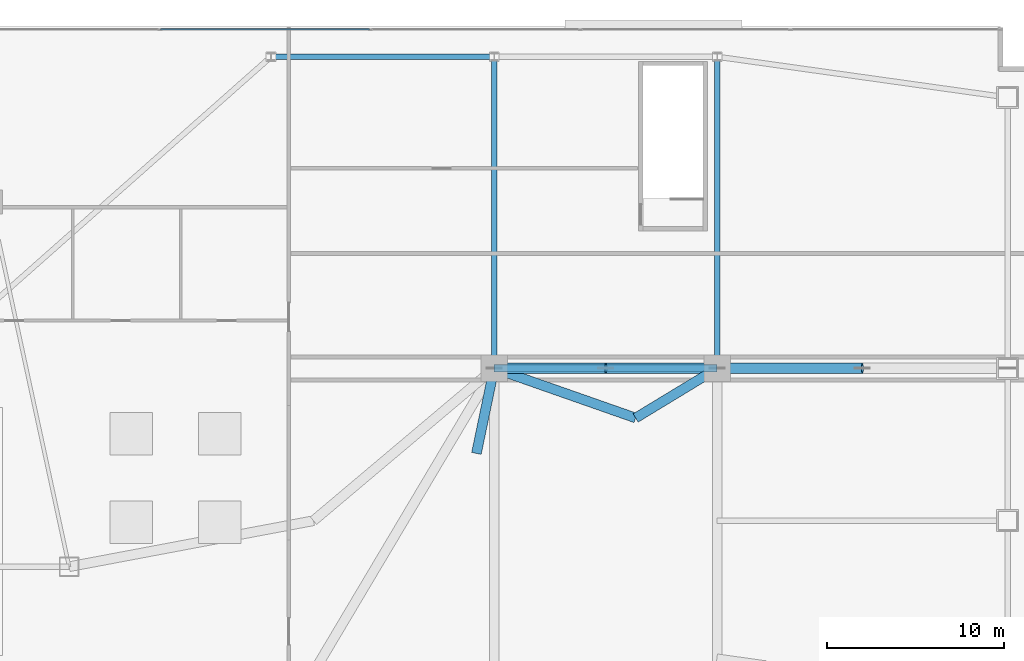
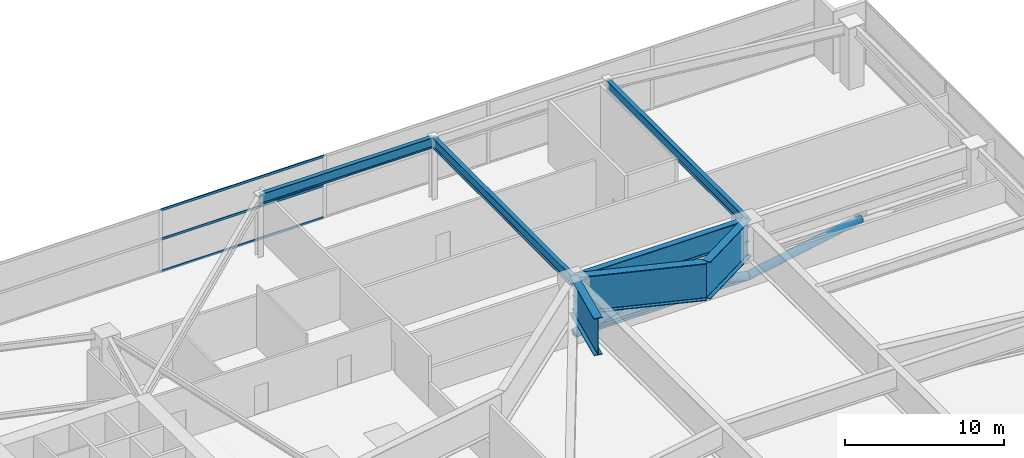
# One storey, part 18 of 36: 8 members, 7 beams, 1 element without a shape of its own.
"""IFC4 building model written with IfcOpenShell, lengths in metres."""

from ifc_helpers import new_model, si_unit, direction, frame, origin, origin_2d, place, context, subcontext, project, spatial, hollow_rectangle, hollow_circle, i_section, extrude, material, layer, layer_set, material_profile, profile_set, type_object, element, aggregate, save


model = new_model("IFC4")

# Units and contexts
model_context = context("Model", 3, precision=1e-05, world=origin(), true_north=direction((0.0, 1.0)))
body_context = subcontext(model_context, "Body", "Model", "MODEL_VIEW")
ifc_project = project(units=[si_unit("LENGTHUNIT", "METRE"), si_unit("AREAUNIT", "SQUARE_METRE"), si_unit("VOLUMEUNIT", "CUBIC_METRE"), si_unit("PLANEANGLEUNIT", "RADIAN"), si_unit("MASSUNIT", "GRAM", prefix="KILO")], contexts=[model_context])

# Site, building, storey
site_placement = place(None, origin())
site = spatial("IfcSite", under=ifc_project, at=site_placement, CompositionType="ELEMENT")
building_placement = place(site_placement, origin())
building = spatial("IfcBuilding", under=site, at=building_placement, Name="Calvorn Quay Hotel", CompositionType="ELEMENT")
storey_placement = place(building_placement, frame((0.0, 0.0, 22.0)))
storey = spatial("IfcBuildingStorey", under=building, at=storey_placement, Name="L04", CompositionType="ELEMENT", Elevation=22.0)

# Beams
ifc_material_1 = material(Name="Steel Q390GJC", Category="steel")
ifc_material_profile_1 = material_profile(ifc_material_1, i_section(OverallWidth=0.300048828125, OverallDepth=0.800048828125, WebThickness=0.013916015625, FlangeThickness=0.02587890625, FilletRadius=0.02392578125, at=origin_2d()), Name="HN800x300x14x26")
ifc_profile_set_1 = profile_set([ifc_material_profile_1], Name="Steel Q390GJC")
beam_type_1 = type_object("IfcBeamType", Name="BM-GIRD-POD", PredefinedType="BEAM", material=ifc_profile_set_1)
beam_1_placement = place(storey_placement, frame((32.39990234375, 53.800048828125, 4.340087890625), z_axis=(1.0, 0.0, 0.0), x_axis=(0.0, 1.0, 0.0)))
element("IfcBeam", 1, at=beam_1_placement, inside=storey, type_object=beam_type_1, Name="Beam BG-L04-PN5", PredefinedType="BEAM", context=body_context, shape_type="SweptSolid", body=[
    extrude(i_section(OverallWidth=0.300048828125, OverallDepth=0.800048828125, WebThickness=0.013916015625, FlangeThickness=0.02587890625, FilletRadius=0.02392578125, at=origin_2d()), origin(), (0.0, 0.0, 1.0), 12.60009765625),
])
for number, where, z_axis, x_axis, name in (
    (2, (45.0, 36.199951171875, 4.340087890625), (0.0, 1.0, 0.0), (-1.0, 0.0, 0.0), "Beam BG-L04-PN8"),
    (3, (57.60009765625, 36.199951171875, 4.340087890625), (0.0, 1.0, 0.0), (-1.0, 0.0, 0.0), "Beam BG-L04-PN9"),
):
    element("IfcBeam", number, at=place(storey_placement, frame(where, z_axis=z_axis, x_axis=x_axis)), inside=storey, type_object=beam_type_1, Name=name, PredefinedType="BEAM", context=body_context, shape_type="SweptSolid", body=[
        extrude(i_section(OverallWidth=0.300048828125, OverallDepth=0.800048828125, WebThickness=0.013916015625, FlangeThickness=0.02587890625, FilletRadius=0.02392578125, at=origin_2d()), origin(), (0.0, 0.0, 1.0), 17.60009765625),
    ])
ifc_material_2 = material(Name="Steel Q420GJC", Category="steel")
ifc_material_profile_2 = material_profile(ifc_material_2, i_section(OverallWidth=0.550048828125, OverallDepth=2.85009765625, WebThickness=0.031982421875, FlangeThickness=0.050048828125, FilletRadius=0.028076171875, at=origin_2d()), Name="HW2850x550x32x50")
ifc_profile_set_2 = profile_set([ifc_material_profile_2], Name="Steel Q420GJC")
beam_type_2 = type_object("IfcBeamType", Name="BM-XFER-MEGA", PredefinedType="BEAM", material=ifc_profile_set_2)
beam_2_placement = place(storey_placement, frame((44.0, 31.39990234375, 3.31494140625), z_axis=(0.203952265704, 0.978980833987, 0.0), x_axis=(-0.978980833987, 0.203952265704, 0.0)))
element("IfcBeam", 4, at=beam_2_placement, inside=storey, type_object=beam_type_2, Name="Beam BTG-L04-C-NC2B", PredefinedType="BEAM", context=body_context, shape_type="SweptSolid", body=[
    extrude(i_section(OverallWidth=0.550048828125, OverallDepth=2.85009765625, WebThickness=0.031982421875, FlangeThickness=0.050048828125, FilletRadius=0.028076171875, at=origin_2d()), origin(), (0.0, 0.0, 1.0), 4.903076171875),
])
beam_3_placement = place(storey_placement, frame((45.0, 36.199951171875, 3.31494140625), z_axis=(0.943740073308, -0.330688182481, 0.0), x_axis=(0.330688182481, 0.943740073308, 0.0)))
element("IfcBeam", 5, at=beam_3_placement, inside=storey, type_object=beam_type_2, Name="Beam BTG-L04-C-ET3A", PredefinedType="BEAM", context=body_context, shape_type="SweptSolid", body=[
    extrude(i_section(OverallWidth=0.550048828125, OverallDepth=2.85009765625, WebThickness=0.031982421875, FlangeThickness=0.050048828125, FilletRadius=0.028076171875, at=origin_2d()), origin(), (0.0, 0.0, 1.0), 8.46728515625),
])
beam_4_placement = place(storey_placement, frame((52.990966796875, 33.39990234375, 3.31494140625), z_axis=(0.854651929267, 0.519201386555, 0.0), x_axis=(-0.519201386555, 0.854651929267, 0.0)))
element("IfcBeam", 6, at=beam_4_placement, inside=storey, type_object=beam_type_2, Name="Beam BTG-L04-C-ET3B", PredefinedType="BEAM", context=body_context, shape_type="SweptSolid", body=[
    extrude(i_section(OverallWidth=0.550048828125, OverallDepth=2.85009765625, WebThickness=0.031982421875, FlangeThickness=0.050048828125, FilletRadius=0.028076171875, at=origin_2d()), origin(), (0.0, 0.0, 1.0), 5.39306640625),
])
ifc_material_3 = material(Name="Steel Q420GJC", Category="steel")
ifc_material_profile_3 = material_profile(ifc_material_3, i_section(OverallWidth=0.419921875, OverallDepth=1.699951171875, WebThickness=0.02392578125, FlangeThickness=0.0419921875, FilletRadius=0.02392578125, at=origin_2d()), Name="HN1700x420x24x42")
ifc_profile_set_3 = profile_set([ifc_material_profile_3], Name="Steel Q420GJC")
beam_type_3 = type_object("IfcBeamType", Name="BM-XFER-SAWTOOTH", PredefinedType="BEAM", material=ifc_profile_set_3)
beam_5_placement = place(storey_placement, frame((45.0, 36.199951171875, 3.889892578125), z_axis=(1.0, 0.0, 0.0), x_axis=(0.0, 1.0, 0.0)))
element("IfcBeam", 7, at=beam_5_placement, inside=storey, type_object=beam_type_3, Name="Beam BTG-L04-N2", PredefinedType="BEAM", context=body_context, shape_type="SweptSolid", body=[
    extrude(i_section(OverallWidth=0.419921875, OverallDepth=1.699951171875, WebThickness=0.02392578125, FlangeThickness=0.0419921875, FilletRadius=0.02392578125, at=origin_2d()), origin(), (0.0, 0.0, 1.0), 12.60009765625),
])

# Curtain wall, members
ifc_material_4 = material(Name="Pale Anodised Aluminium and Low-E Glass", Category="aluminium")
ifc_layer = layer(ifc_material_4, 0.219970703125)
ifc_layer_set = layer_set([ifc_layer], Name="CW-SYS-POD")
curtain_wall_type = type_object("IfcCurtainWallType", Name="CW-SYS-POD", PredefinedType="NOTDEFINED", material=ifc_layer_set)
curtain_wall_placement = place(storey_placement, origin())
curtain_wall = element("IfcCurtainWall", 8, at=curtain_wall_placement, inside=storey, type_object=curtain_wall_type, Name="Podium Curtain Wall L04-N1", PredefinedType="NOTDEFINED")
ifc_material_5 = material(Name="Pale Anodised Aluminium 6063-T6", Category="aluminium")
ifc_material_profile_4 = material_profile(ifc_material_5, hollow_rectangle(XDim=0.070068359375, YDim=0.179931640625, WallThickness=0.00390625, at=origin_2d()), Name="ALU-T180x70x4")
ifc_profile_set_4 = profile_set([ifc_material_profile_4], Name="Pale Anodised Aluminium 6063-T6")
member_type_1 = type_object("IfcMemberType", Name="CW-SYS-POD-TRN", PredefinedType="USERDEFINED", material=ifc_profile_set_4)
member_1_placement = place(storey_placement, frame((26.163330078125, 55.35009765625, 0.030029296875), z_axis=(1.0, 0.0, 0.0), x_axis=(0.0, 1.0, 0.0)))
member_1 = element("IfcMember", 9, at=member_1_placement, type_object=member_type_1, Name="CW-L04-N1 transom 3.1", ObjectType="TRANSOM", PredefinedType="USERDEFINED", context=body_context, shape_type="SweptSolid", body=[
    extrude(hollow_rectangle(XDim=0.070068359375, YDim=0.179931640625, WallThickness=0.00390625, at=origin_2d()), origin(), (0.0, 0.0, 1.0), 11.806640625),
])
member_2_placement = place(storey_placement, frame((26.163330078125, 55.35009765625, 2.5), z_axis=(1.0, 0.0, 0.0), x_axis=(0.0, 1.0, 0.0)))
member_2 = element("IfcMember", 10, at=member_2_placement, type_object=member_type_1, Name="CW-L04-N1 transom 3.2", ObjectType="TRANSOM", PredefinedType="USERDEFINED", context=body_context, shape_type="SweptSolid", body=[
    extrude(hollow_rectangle(XDim=0.070068359375, YDim=0.179931640625, WallThickness=0.00390625, at=origin_2d()), origin(), (0.0, 0.0, 1.0), 11.806640625),
])
member_3_placement = place(storey_placement, frame((26.163330078125, 55.35009765625, 4.72998046875), z_axis=(1.0, 0.0, 0.0), x_axis=(0.0, 1.0, 0.0)))
member_3 = element("IfcMember", 11, at=member_3_placement, type_object=member_type_1, Name="CW-L04-N1 transom 3.3", ObjectType="TRANSOM", PredefinedType="USERDEFINED", context=body_context, shape_type="SweptSolid", body=[
    extrude(hollow_rectangle(XDim=0.070068359375, YDim=0.179931640625, WallThickness=0.00390625, at=origin_2d()), origin(), (0.0, 0.0, 1.0), 11.806640625),
])
aggregate(curtain_wall, [member_1, member_2, member_3])

# Members
ifc_material_6 = material(Name="Steel Q420GJC", Category="steel")
ifc_material_profile_5 = material_profile(ifc_material_6, i_section(OverallWidth=0.406982421875, OverallDepth=0.427978515625, WebThickness=0.02001953125, FlangeThickness=0.034912109375, FilletRadius=0.02197265625, at=origin_2d()), Name="HW428x407x20x35")
ifc_profile_set_5 = profile_set([ifc_material_profile_5], Name="Steel Q420GJC")
member_type_2 = type_object("IfcMemberType", Name="MEM-TRUSS-CHORD-BOT", PredefinedType="CHORD", material=ifc_profile_set_5)
member_4_placement = place(storey_placement, frame((45.0, 36.199951171875, 0.300048828125), z_axis=(1.0, 0.0, 0.0), x_axis=(0.0, 1.0, 0.0)))
element("IfcMember", 12, at=member_4_placement, inside=storey, type_object=member_type_2, Name="Ballroom Transfer Bottom Chord MBC-T21", PredefinedType="CHORD", context=body_context, shape_type="SweptSolid", body=[
    extrude(i_section(OverallWidth=0.406982421875, OverallDepth=0.427978515625, WebThickness=0.02001953125, FlangeThickness=0.034912109375, FilletRadius=0.02197265625, at=origin_2d()), origin(), (0.0, 0.0, 1.0), 12.60009765625),
])
ifc_material_7 = material(Name="Steel Q420GJC", Category="steel")
ifc_material_profile_6 = material_profile(ifc_material_7, i_section(OverallWidth=0.4169921875, OverallDepth=0.4580078125, WebThickness=0.030029296875, FlangeThickness=0.050048828125, FilletRadius=0.02197265625, at=origin_2d()), Name="HW458x417x30x50")
ifc_profile_set_6 = profile_set([ifc_material_profile_6], Name="Steel Q420GJC")
member_type_3 = type_object("IfcMemberType", Name="MEM-TRUSS-CHORD-TOP", PredefinedType="CHORD", material=ifc_profile_set_6)
member_5_placement = place(storey_placement, frame((45.0, 36.199951171875, 1.840087890625), z_axis=(1.0, 0.0, 0.0), x_axis=(0.0, 1.0, 0.0)))
element("IfcMember", 13, at=member_5_placement, inside=storey, type_object=member_type_3, Name="Ballroom Transfer Top Chord MTC-21", PredefinedType="CHORD", context=body_context, shape_type="SweptSolid", body=[
    extrude(i_section(OverallWidth=0.4169921875, OverallDepth=0.4580078125, WebThickness=0.030029296875, FlangeThickness=0.050048828125, FilletRadius=0.02197265625, at=origin_2d()), origin(), (0.0, 0.0, 1.0), 12.60009765625),
])
ifc_material_8 = material(Name="Steel Q420GJC", Category="steel")
ifc_material_profile_7 = material_profile(ifc_material_8, hollow_circle(Radius=0.300048828125, WallThickness=0.02392578125, at=origin_2d()), Name="CHS600x24")
ifc_profile_set_7 = profile_set([ifc_material_profile_7], Name="Steel Q420GJC")
member_type_4 = type_object("IfcMemberType", Name="MEM-TRUSS-DIAG-HVY", PredefinedType="BRACE", material=ifc_profile_set_7)
for number, where, z_axis, x_axis, name in (
    (14, (45.0, 36.199951171875, 0.300048828125), (0.971398041713, 0.0, 0.237457037284), (0.0, 1.0, 0.0), "Ballroom Warren Diagonal MTD-21A"),
    (15, (51.300048828125, 36.199951171875, 1.840087890625), (0.971398041713, 0.0, -0.237457037284), (0.0, 1.0, 0.0), "Ballroom Warren Diagonal MTD-21B"),
):
    element("IfcMember", number, at=place(storey_placement, frame(where, z_axis=z_axis, x_axis=x_axis)), inside=storey, type_object=member_type_4, Name=name, PredefinedType="BRACE", context=body_context, shape_type="SweptSolid", body=[
        extrude(hollow_circle(Radius=0.300048828125, WallThickness=0.02392578125, at=origin_2d()), origin(), (0.0, 0.0, 1.0), 6.485595703125),
    ])
member_6_placement = place(storey_placement, frame((57.60009765625, 36.199951171875, 0.300048828125), z_axis=(0.982816821242, 0.0, 0.184583574252), x_axis=(0.0, 1.0, 0.0)))
element("IfcMember", 16, at=member_6_placement, inside=storey, type_object=member_type_4, Name="Ballroom Warren Diagonal MTD-22A", PredefinedType="BRACE", context=body_context, shape_type="SweptSolid", body=[
    extrude(hollow_circle(Radius=0.300048828125, WallThickness=0.02392578125, at=origin_2d()), origin(), (0.0, 0.0, 1.0), 8.34326171875),
])

save(model, "model.ifc")
